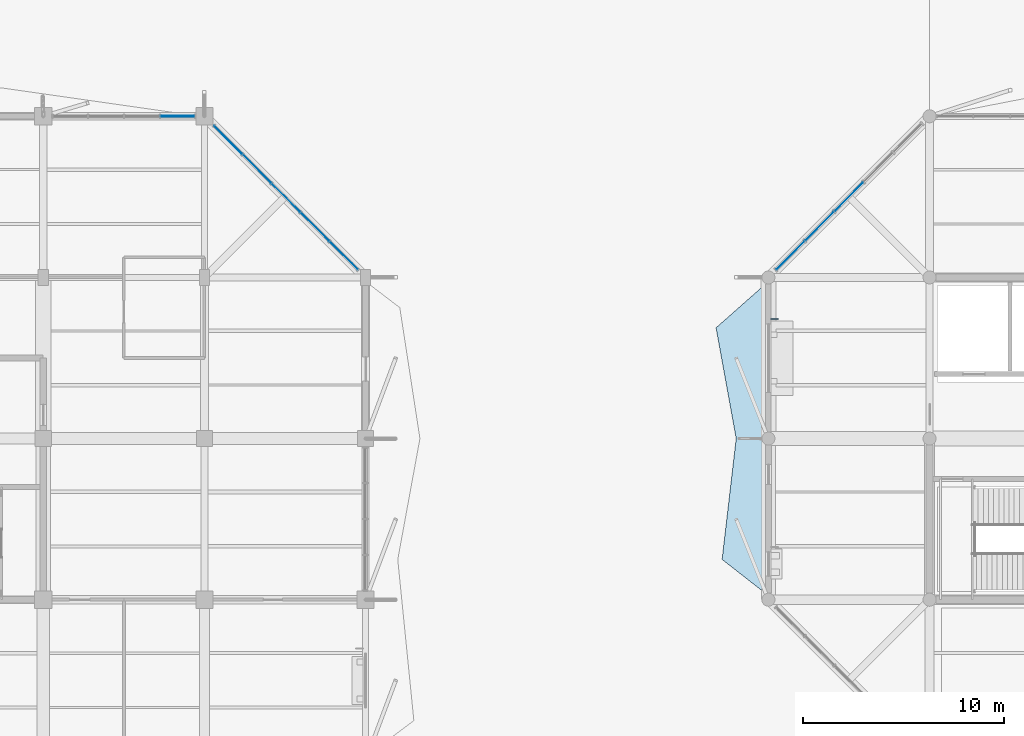
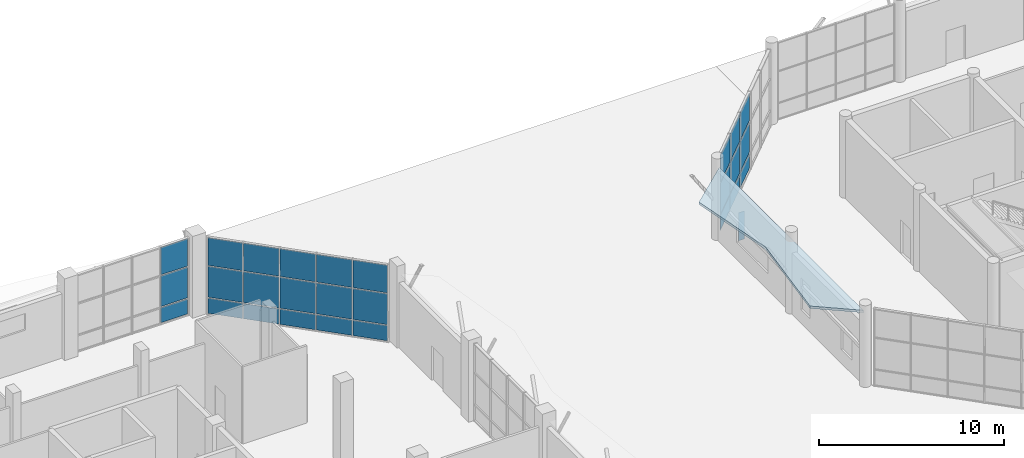
# One storey, part 84 of 123: 28 plates, 1 slab, 3 elements without a shape of their own.
"""IFC4 building model written with IfcOpenShell, lengths in metres."""

from ifc_helpers import new_model, si_unit, direction, frame, origin, origin_2d, place, context, subcontext, project, spatial, polyline, rectangle, outline, extrude, material, layer, layer_set, type_object, element, aggregate, save


model = new_model("IFC4")

# Units and contexts
model_context = context("Model", 3, precision=1e-05, world=origin(), true_north=direction((0.0, 1.0)))
body_context = subcontext(model_context, "Body", "Model", "MODEL_VIEW")
ifc_project = project(units=[si_unit("LENGTHUNIT", "METRE"), si_unit("AREAUNIT", "SQUARE_METRE"), si_unit("VOLUMEUNIT", "CUBIC_METRE"), si_unit("PLANEANGLEUNIT", "RADIAN"), si_unit("MASSUNIT", "GRAM", prefix="KILO")], contexts=[model_context])

# Site, building, storey
site_placement = place(None, origin())
site = spatial("IfcSite", under=ifc_project, at=site_placement, CompositionType="ELEMENT")
building_placement = place(site_placement, origin())
building = spatial("IfcBuilding", under=site, at=building_placement, Name="Tenunan Teduh Sports Hall", CompositionType="ELEMENT")
storey_placement = place(building_placement, origin())
storey = spatial("IfcBuildingStorey", under=building, at=storey_placement, Name="L00", CompositionType="ELEMENT", Elevation=0.0)

# Curtain wall, plates
ifc_material_1 = material(Name="Anodised aluminium", Category="aluminium")
curtain_wall_type = type_object("IfcCurtainWallType", Name="CW-UNIT-1", PredefinedType="NOTDEFINED", material=ifc_material_1)
curtain_wall_1_placement = place(storey_placement, origin())
curtain_wall_1 = element("IfcCurtainWall", 1, at=curtain_wall_1_placement, inside=storey, type_object=curtain_wall_type, Name="CW-CWM-175-L00-194", PredefinedType="NOTDEFINED")
ifc_material_2 = material(Name="Low-E laminated double glazing", Category="glass")
ifc_layer_1 = layer(ifc_material_2, 0.028076171875)
ifc_layer_set_1 = layer_set([ifc_layer_1], Name="Low-E laminated double glazing")
plate_type_1 = type_object("IfcPlateType", Name="CWP-GLZ-28", PredefinedType="CURTAIN_PANEL", material=ifc_layer_set_1)
plate_1_placement = place(storey_placement, frame((76.926025390625, 111.073974609375, 1.13232421875), z_axis=(0.0, 0.0, 1.0), x_axis=(-0.707106781187, 0.707106781187, 0.0)))
plate_1 = element("IfcPlate", 2, at=plate_1_placement, type_object=plate_type_1, Name="CW-01 panel 1.2", PredefinedType="CURTAIN_PANEL", context=body_context, shape_type="SweptSolid", body=[
    extrude(rectangle(XDim=1.9423828125, YDim=0.028076171875, at=origin_2d()), origin(), (0.0, 0.0, 1.0), 2.034912109375),
])
plate_2_placement = place(storey_placement, frame((76.926025390625, 111.073974609375, 3.232421875), z_axis=(0.0, 0.0, 1.0), x_axis=(-0.707106781187, 0.707106781187, 0.0)))
plate_2 = element("IfcPlate", 3, at=plate_2_placement, type_object=plate_type_1, Name="CW-01 panel 1.3", PredefinedType="CURTAIN_PANEL", context=body_context, shape_type="SweptSolid", body=[
    extrude(rectangle(XDim=1.9423828125, YDim=0.028076171875, at=origin_2d()), origin(), (0.0, 0.0, 1.0), 1.822509765625),
])
plate_3_placement = place(storey_placement, frame((75.494873046875, 112.505126953125, 1.13232421875), z_axis=(0.0, 0.0, 1.0), x_axis=(-0.707106781187, 0.707106781187, 0.0)))
plate_3 = element("IfcPlate", 4, at=plate_3_placement, type_object=plate_type_1, Name="CW-01 panel 2.2", PredefinedType="CURTAIN_PANEL", context=body_context, shape_type="SweptSolid", body=[
    extrude(rectangle(XDim=1.974853515625, YDim=0.028076171875, at=origin_2d()), origin(), (0.0, 0.0, 1.0), 2.034912109375),
])
plate_4_placement = place(storey_placement, frame((75.494873046875, 112.505126953125, 3.232421875), z_axis=(0.0, 0.0, 1.0), x_axis=(-0.707106781187, 0.707106781187, 0.0)))
plate_4 = element("IfcPlate", 5, at=plate_4_placement, type_object=plate_type_1, Name="CW-01 panel 2.3", PredefinedType="CURTAIN_PANEL", context=body_context, shape_type="SweptSolid", body=[
    extrude(rectangle(XDim=1.974853515625, YDim=0.028076171875, at=origin_2d()), origin(), (0.0, 0.0, 1.0), 1.822509765625),
])
plate_5_placement = place(storey_placement, frame((74.052490234375, 113.947509765625, 1.13232421875), z_axis=(0.0, 0.0, 1.0), x_axis=(-0.707106781187, 0.707106781187, 0.0)))
plate_5 = element("IfcPlate", 6, at=plate_5_placement, type_object=plate_type_1, Name="CW-01 panel 3.2", PredefinedType="CURTAIN_PANEL", context=body_context, shape_type="SweptSolid", body=[
    extrude(rectangle(XDim=1.974853515625, YDim=0.028076171875, at=origin_2d()), origin(), (0.0, 0.0, 1.0), 2.034912109375),
])
plate_6_placement = place(storey_placement, frame((74.052490234375, 113.947509765625, 3.232421875), z_axis=(0.0, 0.0, 1.0), x_axis=(-0.707106781187, 0.707106781187, 0.0)))
plate_6 = element("IfcPlate", 7, at=plate_6_placement, type_object=plate_type_1, Name="CW-01 panel 3.3", PredefinedType="CURTAIN_PANEL", context=body_context, shape_type="SweptSolid", body=[
    extrude(rectangle(XDim=1.974853515625, YDim=0.028076171875, at=origin_2d()), origin(), (0.0, 0.0, 1.0), 1.822509765625),
])
plate_7_placement = place(storey_placement, frame((72.610107421875, 115.389892578125, 1.13232421875), z_axis=(0.0, 0.0, 1.0), x_axis=(-0.707106781187, 0.707106781187, 0.0)))
plate_7 = element("IfcPlate", 8, at=plate_7_placement, type_object=plate_type_1, Name="CW-01 panel 4.2", PredefinedType="CURTAIN_PANEL", context=body_context, shape_type="SweptSolid", body=[
    extrude(rectangle(XDim=1.974853515625, YDim=0.028076171875, at=origin_2d()), origin(), (0.0, 0.0, 1.0), 2.034912109375),
])
plate_8_placement = place(storey_placement, frame((72.610107421875, 115.389892578125, 3.232421875), z_axis=(0.0, 0.0, 1.0), x_axis=(-0.707106781187, 0.707106781187, 0.0)))
plate_8 = element("IfcPlate", 9, at=plate_8_placement, type_object=plate_type_1, Name="CW-01 panel 4.3", PredefinedType="CURTAIN_PANEL", context=body_context, shape_type="SweptSolid", body=[
    extrude(rectangle(XDim=1.974853515625, YDim=0.028076171875, at=origin_2d()), origin(), (0.0, 0.0, 1.0), 1.822509765625),
])
plate_9_placement = place(storey_placement, frame((71.178955078125, 116.821044921875, 1.13232421875), z_axis=(0.0, 0.0, 1.0), x_axis=(-0.707106781187, 0.707106781187, 0.0)))
plate_9 = element("IfcPlate", 10, at=plate_9_placement, type_object=plate_type_1, Name="CW-01 panel 5.2", PredefinedType="CURTAIN_PANEL", context=body_context, shape_type="SweptSolid", body=[
    extrude(rectangle(XDim=1.9423828125, YDim=0.028076171875, at=origin_2d()), origin(), (0.0, 0.0, 1.0), 2.034912109375),
])
plate_10_placement = place(storey_placement, frame((71.178955078125, 116.821044921875, 3.232421875), z_axis=(0.0, 0.0, 1.0), x_axis=(-0.707106781187, 0.707106781187, 0.0)))
plate_10 = element("IfcPlate", 11, at=plate_10_placement, type_object=plate_type_1, Name="CW-01 panel 5.3", PredefinedType="CURTAIN_PANEL", context=body_context, shape_type="SweptSolid", body=[
    extrude(rectangle(XDim=1.9423828125, YDim=0.028076171875, at=origin_2d()), origin(), (0.0, 0.0, 1.0), 1.822509765625),
])

curtain_wall_2_placement = place(storey_placement, origin())
curtain_wall_2 = element("IfcCurtainWall", 12, at=curtain_wall_2_placement, inside=storey, type_object=curtain_wall_type, Name="CW-CWM-220-L00-197", PredefinedType="NOTDEFINED")
ifc_material_3 = material(Name="Solar-control laminated glazing", Category="glass")
ifc_layer_2 = layer(ifc_material_3, 0.031982421875)
ifc_layer_set_2 = layer_set([ifc_layer_2], Name="Solar-control laminated glazing")
plate_type_2 = type_object("IfcPlateType", Name="CWP-GLZ-32", PredefinedType="CURTAIN_PANEL", material=ifc_layer_set_2)
plate_11_placement = place(storey_placement, frame((68.66259765625, 118.0, 1.137451171875), z_axis=(0.0, 0.0, 1.0), x_axis=(1.0, 0.0, 0.0)))
plate_11 = element("IfcPlate", 13, at=plate_11_placement, type_object=plate_type_2, Name="CW-01 panel 4.2", PredefinedType="CURTAIN_PANEL", context=body_context, shape_type="SweptSolid", body=[
    extrude(rectangle(XDim=1.675048828125, YDim=0.031982421875, at=origin_2d()), origin(), (0.0, 0.0, 1.0), 2.02490234375),
])
plate_12_placement = place(storey_placement, frame((68.66259765625, 118.0, 3.237548828125), z_axis=(0.0, 0.0, 1.0), x_axis=(1.0, 0.0, 0.0)))
plate_12 = element("IfcPlate", 14, at=plate_12_placement, type_object=plate_type_2, Name="CW-01 panel 4.3", PredefinedType="CURTAIN_PANEL", context=body_context, shape_type="SweptSolid", body=[
    extrude(rectangle(XDim=1.675048828125, YDim=0.031982421875, at=origin_2d()), origin(), (0.0, 0.0, 1.0), 1.8076171875),
])

curtain_wall_3_placement = place(storey_placement, origin())
curtain_wall_3 = element("IfcCurtainWall", 15, at=curtain_wall_3_placement, inside=storey, type_object=curtain_wall_type, Name="CW-CWM-220-L00-241", PredefinedType="NOTDEFINED")
plate_13_placement = place(storey_placement, frame((99.086181640625, 111.086181640625, 1.137451171875), z_axis=(0.0, 0.0, 1.0), x_axis=(0.707106781187, 0.707106781187, 0.0)))
plate_13 = element("IfcPlate", 16, at=plate_13_placement, type_object=plate_type_2, Name="CW-01 panel 1.2", PredefinedType="CURTAIN_PANEL", context=body_context, shape_type="SweptSolid", body=[
    extrude(rectangle(XDim=1.957275390625, YDim=0.031982421875, at=origin_2d()), origin(), (0.0, 0.0, 1.0), 2.02490234375),
])
plate_14_placement = place(storey_placement, frame((99.086181640625, 111.086181640625, 3.237548828125), z_axis=(0.0, 0.0, 1.0), x_axis=(0.707106781187, 0.707106781187, 0.0)))
plate_14 = element("IfcPlate", 17, at=plate_14_placement, type_object=plate_type_2, Name="CW-01 panel 1.3", PredefinedType="CURTAIN_PANEL", context=body_context, shape_type="SweptSolid", body=[
    extrude(rectangle(XDim=1.957275390625, YDim=0.031982421875, at=origin_2d()), origin(), (0.0, 0.0, 1.0), 1.8076171875),
])
plate_15_placement = place(storey_placement, frame((100.53662109375, 112.53662109375, 1.137451171875), z_axis=(0.0, 0.0, 1.0), x_axis=(0.707106781187, 0.707106781187, 0.0)))
plate_15 = element("IfcPlate", 18, at=plate_15_placement, type_object=plate_type_2, Name="CW-01 panel 2.2", PredefinedType="CURTAIN_PANEL", context=body_context, shape_type="SweptSolid", body=[
    extrude(rectangle(XDim=1.99462890625, YDim=0.031982421875, at=origin_2d()), origin(), (0.0, 0.0, 1.0), 2.02490234375),
])
plate_16_placement = place(storey_placement, frame((100.53662109375, 112.53662109375, 3.237548828125), z_axis=(0.0, 0.0, 1.0), x_axis=(0.707106781187, 0.707106781187, 0.0)))
plate_16 = element("IfcPlate", 19, at=plate_16_placement, type_object=plate_type_2, Name="CW-01 panel 2.3", PredefinedType="CURTAIN_PANEL", context=body_context, shape_type="SweptSolid", body=[
    extrude(rectangle(XDim=1.99462890625, YDim=0.031982421875, at=origin_2d()), origin(), (0.0, 0.0, 1.0), 1.8076171875),
])
plate_17_placement = place(storey_placement, frame((102.0, 114.0, 1.137451171875), z_axis=(0.0, 0.0, 1.0), x_axis=(0.707106781187, 0.707106781187, 0.0)))
plate_17 = element("IfcPlate", 20, at=plate_17_placement, type_object=plate_type_2, Name="CW-01 panel 3.2", PredefinedType="CURTAIN_PANEL", context=body_context, shape_type="SweptSolid", body=[
    extrude(rectangle(XDim=1.99462890625, YDim=0.031982421875, at=origin_2d()), origin(), (0.0, 0.0, 1.0), 2.02490234375),
])
plate_18_placement = place(storey_placement, frame((102.0, 114.0, 3.237548828125), z_axis=(0.0, 0.0, 1.0), x_axis=(0.707106781187, 0.707106781187, 0.0)))
plate_18 = element("IfcPlate", 21, at=plate_18_placement, type_object=plate_type_2, Name="CW-01 panel 3.3", PredefinedType="CURTAIN_PANEL", context=body_context, shape_type="SweptSolid", body=[
    extrude(rectangle(XDim=1.99462890625, YDim=0.031982421875, at=origin_2d()), origin(), (0.0, 0.0, 1.0), 1.8076171875),
])

# Plate
ifc_material_4 = material(Name="Insulated aluminium spandrel panel", Category="aluminium")
ifc_layer_3 = layer(ifc_material_4, 0.044921875)
ifc_layer_set_3 = layer_set([ifc_layer_3], Name="Insulated aluminium spandrel panel")
plate_type_3 = type_object("IfcPlateType", Name="CWP-SPN-45", PredefinedType="CURTAIN_PANEL", material=ifc_layer_set_3)
plate_19_placement = place(storey_placement, frame((76.926025390625, 111.073974609375, 0.06494140625), z_axis=(0.0, 0.0, 1.0), x_axis=(-0.707106781187, 0.707106781187, 0.0)))
plate_19 = element("IfcPlate", 22, at=plate_19_placement, type_object=plate_type_3, Name="CW-01 panel 1.1", PredefinedType="CURTAIN_PANEL", context=body_context, shape_type="SweptSolid", body=[
    extrude(rectangle(XDim=1.9423828125, YDim=0.028076171875, at=origin_2d()), origin(), (0.0, 0.0, 1.0), 1.00244140625),
])

plate_20_placement = place(storey_placement, frame((75.494873046875, 112.505126953125, 0.06494140625), z_axis=(0.0, 0.0, 1.0), x_axis=(-0.707106781187, 0.707106781187, 0.0)))
plate_20 = element("IfcPlate", 23, at=plate_20_placement, type_object=plate_type_3, Name="CW-01 panel 2.1", PredefinedType="CURTAIN_PANEL", context=body_context, shape_type="SweptSolid", body=[
    extrude(rectangle(XDim=1.974853515625, YDim=0.028076171875, at=origin_2d()), origin(), (0.0, 0.0, 1.0), 1.00244140625),
])

plate_21_placement = place(storey_placement, frame((74.052490234375, 113.947509765625, 0.06494140625), z_axis=(0.0, 0.0, 1.0), x_axis=(-0.707106781187, 0.707106781187, 0.0)))
plate_21 = element("IfcPlate", 24, at=plate_21_placement, type_object=plate_type_3, Name="CW-01 panel 3.1", PredefinedType="CURTAIN_PANEL", context=body_context, shape_type="SweptSolid", body=[
    extrude(rectangle(XDim=1.974853515625, YDim=0.028076171875, at=origin_2d()), origin(), (0.0, 0.0, 1.0), 1.00244140625),
])

plate_22_placement = place(storey_placement, frame((72.610107421875, 115.389892578125, 0.06494140625), z_axis=(0.0, 0.0, 1.0), x_axis=(-0.707106781187, 0.707106781187, 0.0)))
plate_22 = element("IfcPlate", 25, at=plate_22_placement, type_object=plate_type_3, Name="CW-01 panel 4.1", PredefinedType="CURTAIN_PANEL", context=body_context, shape_type="SweptSolid", body=[
    extrude(rectangle(XDim=1.974853515625, YDim=0.028076171875, at=origin_2d()), origin(), (0.0, 0.0, 1.0), 1.00244140625),
])

plate_23_placement = place(storey_placement, frame((71.178955078125, 116.821044921875, 0.06494140625), z_axis=(0.0, 0.0, 1.0), x_axis=(-0.707106781187, 0.707106781187, 0.0)))
plate_23 = element("IfcPlate", 26, at=plate_23_placement, type_object=plate_type_3, Name="CW-01 panel 5.1", PredefinedType="CURTAIN_PANEL", context=body_context, shape_type="SweptSolid", body=[
    extrude(rectangle(XDim=1.9423828125, YDim=0.028076171875, at=origin_2d()), origin(), (0.0, 0.0, 1.0), 1.00244140625),
])

aggregate(curtain_wall_1, [plate_19, plate_1, plate_2, plate_20, plate_3, plate_4, plate_21, plate_5, plate_6, plate_22, plate_7, plate_8, plate_23, plate_9, plate_10])

plate_24_placement = place(storey_placement, frame((68.66259765625, 118.0, 0.0751953125), z_axis=(0.0, 0.0, 1.0), x_axis=(1.0, 0.0, 0.0)))
plate_24 = element("IfcPlate", 27, at=plate_24_placement, type_object=plate_type_3, Name="CW-01 panel 4.1", PredefinedType="CURTAIN_PANEL", context=body_context, shape_type="SweptSolid", body=[
    extrude(rectangle(XDim=1.675048828125, YDim=0.031982421875, at=origin_2d()), origin(), (0.0, 0.0, 1.0), 0.987548828125),
])

aggregate(curtain_wall_2, [plate_24, plate_11, plate_12])

plate_25_placement = place(storey_placement, frame((99.086181640625, 111.086181640625, 0.0751953125), z_axis=(0.0, 0.0, 1.0), x_axis=(0.707106781187, 0.707106781187, 0.0)))
plate_25 = element("IfcPlate", 28, at=plate_25_placement, type_object=plate_type_3, Name="CW-01 panel 1.1", PredefinedType="CURTAIN_PANEL", context=body_context, shape_type="SweptSolid", body=[
    extrude(rectangle(XDim=1.957275390625, YDim=0.031982421875, at=origin_2d()), origin(), (0.0, 0.0, 1.0), 0.987548828125),
])

plate_26_placement = place(storey_placement, frame((100.53662109375, 112.53662109375, 0.0751953125), z_axis=(0.0, 0.0, 1.0), x_axis=(0.707106781187, 0.707106781187, 0.0)))
plate_26 = element("IfcPlate", 29, at=plate_26_placement, type_object=plate_type_3, Name="CW-01 panel 2.1", PredefinedType="CURTAIN_PANEL", context=body_context, shape_type="SweptSolid", body=[
    extrude(rectangle(XDim=1.99462890625, YDim=0.031982421875, at=origin_2d()), origin(), (0.0, 0.0, 1.0), 0.987548828125),
])

plate_27_placement = place(storey_placement, frame((102.0, 114.0, 0.0751953125), z_axis=(0.0, 0.0, 1.0), x_axis=(0.707106781187, 0.707106781187, 0.0)))
plate_27 = element("IfcPlate", 30, at=plate_27_placement, type_object=plate_type_3, Name="CW-01 panel 3.1", PredefinedType="CURTAIN_PANEL", context=body_context, shape_type="SweptSolid", body=[
    extrude(rectangle(XDim=1.99462890625, YDim=0.031982421875, at=origin_2d()), origin(), (0.0, 0.0, 1.0), 0.987548828125),
])

aggregate(curtain_wall_3, [plate_25, plate_13, plate_14, plate_26, plate_15, plate_16, plate_27, plate_17, plate_18])

ifc_material_5 = material(Name="Anodised aluminium", Category="aluminium")
ifc_layer_4 = layer(ifc_material_5, 1.89990234375)
ifc_layer_set_4 = layer_set([ifc_layer_4], Name="Anodised aluminium")
plate_type_4 = type_object("IfcPlateType", Name="PLT-FIN-1", PredefinedType="SHEET", material=ifc_layer_set_4)
plate_28_placement = place(storey_placement, frame((98.300048828125, 107.93505859375, 0.97998046875), z_axis=(0.0, 0.0, 1.0), x_axis=(0.0, 1.0, 0.0)))
element("IfcPlate", 31, at=plate_28_placement, inside=storey, type_object=plate_type_4, Name="PLT-FIN-L00-080", PredefinedType="SHEET", context=body_context, shape_type="SweptSolid", body=[
    extrude(rectangle(XDim=0.0400390625, YDim=0.360107421875, at=origin_2d()), origin(), (0.0, 0.0, 1.0), 1.840087890625),
])

# Slab
ifc_material_6 = material(Name="Concrete C40/50", Category="concrete")
ifc_layer_5 = layer(ifc_material_6, 0.159912109375)
ifc_layer_set_5 = layer_set([ifc_layer_5], Name="Concrete C40/50")
slab_type = type_object("IfcSlabType", Name="SLB-ROOF-160", PredefinedType="ROOF", material=ifc_layer_set_5)
slab_placement = place(storey_placement, frame((0.0, 0.0, 4.590087890625)))
element("IfcSlab", 32, at=slab_placement, inside=storey, type_object=slab_type, Name="Window Head Sun-Shade Hood SHD-RIB-V5E-W-L00", PredefinedType="ROOF", context=body_context, shape_type="SweptSolid", body=[
    extrude(outline(polyline([(98.0, 94.199951171875), (95.699951171875, 96.0), (96.39990234375, 102.0), (95.39990234375, 107.5), (98.0, 109.800048828125), (98.0, 94.199951171875)])), origin(), (0.0, 0.0, 1.0), 0.159912109375),
])

save(model, "model.ifc")
